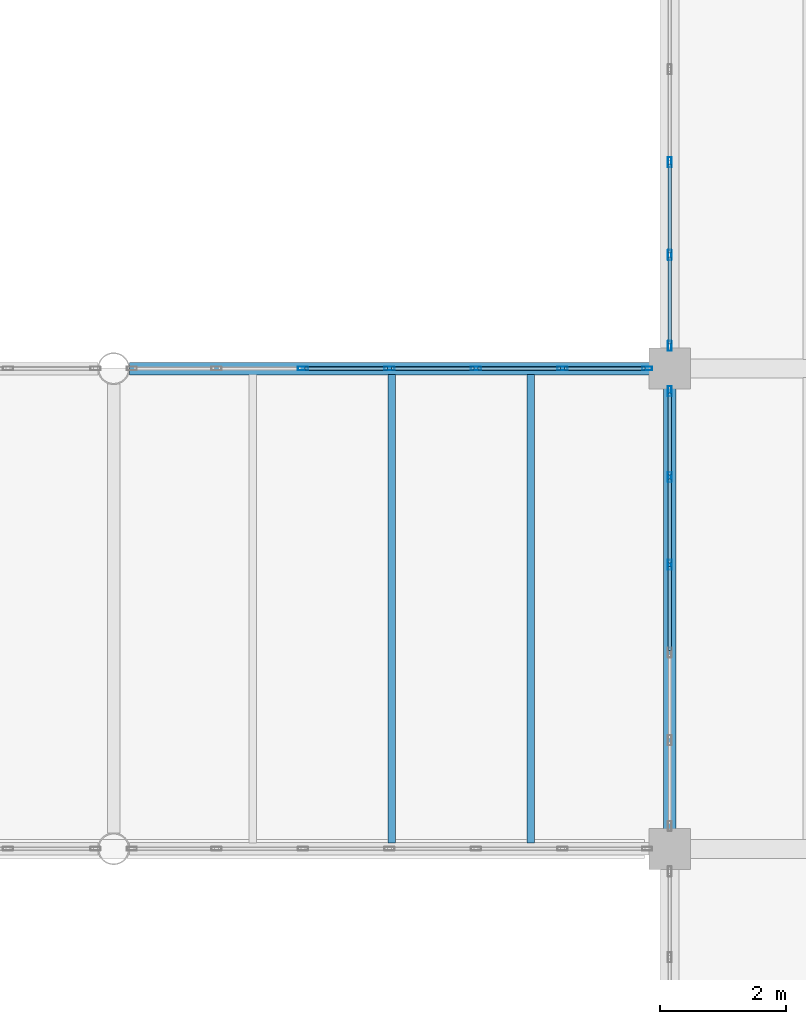
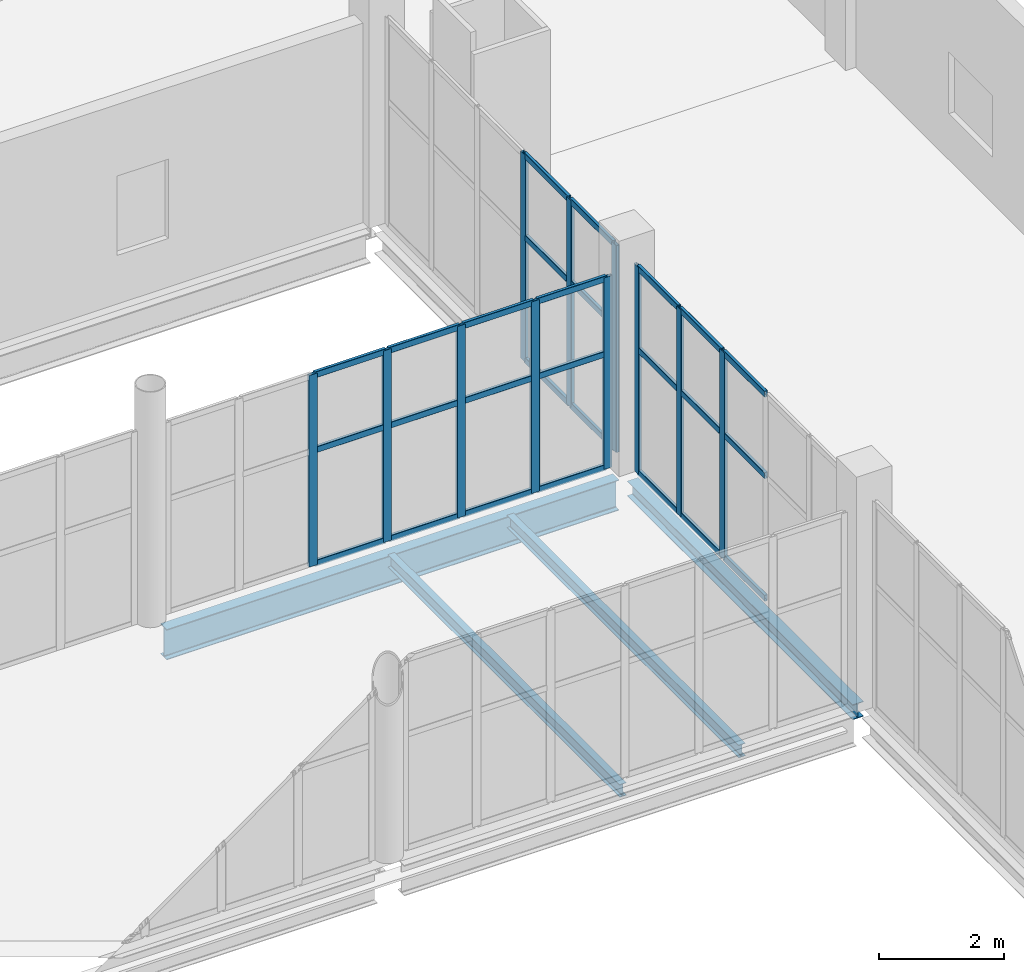
# One storey, part 117 of 172: 38 members, 4 beams, 3 elements without a shape of their own.
"""IFC4 building model written with IfcOpenShell, lengths in metres."""

from ifc_helpers import new_model, si_unit, direction, frame, origin, origin_2d, place, context, subcontext, project, spatial, hollow_rectangle, i_section, extrude, material, material_profile, profile_set, type_object, element, aggregate, save


model = new_model("IFC4")

# Units and contexts
model_context = context("Model", 3, precision=1e-05, world=origin(), true_north=direction((0.0, 1.0)))
body_context = subcontext(model_context, "Body", "Model", "MODEL_VIEW")
ifc_project = project(units=[si_unit("LENGTHUNIT", "METRE"), si_unit("AREAUNIT", "SQUARE_METRE"), si_unit("VOLUMEUNIT", "CUBIC_METRE"), si_unit("PLANEANGLEUNIT", "RADIAN"), si_unit("MASSUNIT", "GRAM", prefix="KILO")], contexts=[model_context])

# Site, building, storey
site_placement = place(None, origin())
site = spatial("IfcSite", under=ifc_project, at=site_placement, CompositionType="ELEMENT")
building_placement = place(site_placement, origin())
building = spatial("IfcBuilding", under=site, at=building_placement, Name="Shengluoqiao Park Theatre", CompositionType="ELEMENT")
storey_placement = place(building_placement, frame((0.0, 0.0, 5.39990234375)))
storey = spatial("IfcBuildingStorey", under=building, at=storey_placement, Name="L01", CompositionType="ELEMENT", Elevation=5.39990234375)

# Curtain wall, members
ifc_material_1 = material(Name="Aluminium 6063-T6", Category="aluminium")
curtain_wall_type_1 = type_object("IfcCurtainWallType", Name="ENV-CW-BRIDGE", PredefinedType="NOTDEFINED", material=ifc_material_1)
curtain_wall_1_placement = place(storey_placement, origin())
curtain_wall_1 = element("IfcCurtainWall", 1, at=curtain_wall_1_placement, inside=storey, type_object=curtain_wall_type_1, Name="L01 Curtain Wall CWX-L01-0106", PredefinedType="NOTDEFINED")
ifc_material_profile_1 = material_profile(ifc_material_1, hollow_rectangle(XDim=0.06005859375, YDim=0.159912109375, WallThickness=0.00390625, InnerFilletRadius=0.00390625, OuterFilletRadius=0.008056640625, at=origin_2d()), Name="ALU MULLION 160x60x4")
ifc_profile_set_1 = profile_set([ifc_material_profile_1], Name="Aluminium 6063-T6")
member_type_1 = type_object("IfcMemberType", Name="ENV-MUL-160", PredefinedType="MULLION", material=ifc_profile_set_1)
member_1_placement = place(storey_placement, frame((151.395751953125, 76.0, 0.0), z_axis=(0.0, 0.0, 1.0), x_axis=(0.0, 1.0, 0.0)))
member_1 = element("IfcMember", 2, at=member_1_placement, type_object=member_type_1, Name="CW-03 mullion 3", PredefinedType="MULLION", context=body_context, shape_type="SweptSolid", body=[
    extrude(hollow_rectangle(XDim=0.06005859375, YDim=0.159912109375, WallThickness=0.00390625, InnerFilletRadius=0.00390625, OuterFilletRadius=0.008056640625, at=origin_2d()), origin(), (0.0, 0.0, 1.0), 3.7421875),
])
member_2_placement = place(storey_placement, frame((152.764404296875, 76.0, 0.0), z_axis=(0.0, 0.0, 1.0), x_axis=(0.0, 1.0, 0.0)))
member_2 = element("IfcMember", 3, at=member_2_placement, type_object=member_type_1, Name="CW-03 mullion 4", PredefinedType="MULLION", context=body_context, shape_type="SweptSolid", body=[
    extrude(hollow_rectangle(XDim=0.06005859375, YDim=0.159912109375, WallThickness=0.00390625, InnerFilletRadius=0.00390625, OuterFilletRadius=0.008056640625, at=origin_2d()), origin(), (0.0, 0.0, 1.0), 3.7421875),
])
member_3_placement = place(storey_placement, frame((154.13330078125, 76.0, 0.0), z_axis=(0.0, 0.0, 1.0), x_axis=(0.0, 1.0, 0.0)))
member_3 = element("IfcMember", 4, at=member_3_placement, type_object=member_type_1, Name="CW-03 mullion 5", PredefinedType="MULLION", context=body_context, shape_type="SweptSolid", body=[
    extrude(hollow_rectangle(XDim=0.06005859375, YDim=0.159912109375, WallThickness=0.00390625, InnerFilletRadius=0.00390625, OuterFilletRadius=0.008056640625, at=origin_2d()), origin(), (0.0, 0.0, 1.0), 3.7421875),
])
member_4_placement = place(storey_placement, frame((155.502197265625, 76.0, 0.0), z_axis=(0.0, 0.0, 1.0), x_axis=(0.0, 1.0, 0.0)))
member_4 = element("IfcMember", 5, at=member_4_placement, type_object=member_type_1, Name="CW-03 mullion 6", PredefinedType="MULLION", context=body_context, shape_type="SweptSolid", body=[
    extrude(hollow_rectangle(XDim=0.06005859375, YDim=0.159912109375, WallThickness=0.00390625, InnerFilletRadius=0.00390625, OuterFilletRadius=0.008056640625, at=origin_2d()), origin(), (0.0, 0.0, 1.0), 3.7421875),
])
member_5_placement = place(storey_placement, frame((156.841064453125, 76.0, 0.0), z_axis=(0.0, 0.0, 1.0), x_axis=(0.0, 1.0, 0.0)))
member_5 = element("IfcMember", 6, at=member_5_placement, type_object=member_type_1, Name="CW-03 mullion 7", PredefinedType="MULLION", context=body_context, shape_type="SweptSolid", body=[
    extrude(hollow_rectangle(XDim=0.06005859375, YDim=0.159912109375, WallThickness=0.00390625, InnerFilletRadius=0.00390625, OuterFilletRadius=0.008056640625, at=origin_2d()), origin(), (0.0, 0.0, 1.0), 3.7421875),
])

curtain_wall_type_2 = type_object("IfcCurtainWallType", Name="ENV-CW-COURT", PredefinedType="NOTDEFINED", material=ifc_material_1)
curtain_wall_2_placement = place(storey_placement, origin())
curtain_wall_2 = element("IfcCurtainWall", 7, at=curtain_wall_2_placement, inside=storey, type_object=curtain_wall_type_2, Name="L01 Curtain Wall CWX-L01-0187", PredefinedType="NOTDEFINED")
member_6_placement = place(storey_placement, frame((157.199951171875, 72.894287109375, 0.0), z_axis=(0.0, 0.0, 1.0), x_axis=(-1.0, 0.0, 0.0)))
member_6 = element("IfcMember", 8, at=member_6_placement, type_object=member_type_1, Name="CW-05 mullion 4", PredefinedType="MULLION", context=body_context, shape_type="SweptSolid", body=[
    extrude(hollow_rectangle(XDim=0.06005859375, YDim=0.159912109375, WallThickness=0.00390625, InnerFilletRadius=0.00390625, OuterFilletRadius=0.008056640625, at=origin_2d()), origin(), (0.0, 0.0, 1.0), 4.044189453125),
])
member_7_placement = place(storey_placement, frame((157.199951171875, 74.28271484375, 0.0), z_axis=(0.0, 0.0, 1.0), x_axis=(-1.0, 0.0, 0.0)))
member_7 = element("IfcMember", 9, at=member_7_placement, type_object=member_type_1, Name="CW-05 mullion 5", PredefinedType="MULLION", context=body_context, shape_type="SweptSolid", body=[
    extrude(hollow_rectangle(XDim=0.06005859375, YDim=0.159912109375, WallThickness=0.00390625, InnerFilletRadius=0.00390625, OuterFilletRadius=0.008056640625, at=origin_2d()), origin(), (0.0, 0.0, 1.0), 4.044189453125),
])
member_8_placement = place(storey_placement, frame((157.199951171875, 75.64111328125, 0.0), z_axis=(0.0, 0.0, 1.0), x_axis=(-1.0, 0.0, 0.0)))
member_8 = element("IfcMember", 10, at=member_8_placement, type_object=member_type_1, Name="CW-05 mullion 6", PredefinedType="MULLION", context=body_context, shape_type="SweptSolid", body=[
    extrude(hollow_rectangle(XDim=0.06005859375, YDim=0.159912109375, WallThickness=0.00390625, InnerFilletRadius=0.00390625, OuterFilletRadius=0.008056640625, at=origin_2d()), origin(), (0.0, 0.0, 1.0), 4.044189453125),
])

curtain_wall_3_placement = place(storey_placement, origin())
curtain_wall_3 = element("IfcCurtainWall", 11, at=curtain_wall_3_placement, inside=storey, type_object=curtain_wall_type_2, Name="L01 Curtain Wall CWX-L01-0188", PredefinedType="NOTDEFINED")
member_9_placement = place(storey_placement, frame((157.199951171875, 76.35888671875, 0.0), z_axis=(0.0, 0.0, 1.0), x_axis=(-1.0, 0.0, 0.0)))
member_9 = element("IfcMember", 12, at=member_9_placement, type_object=member_type_1, Name="CW-05 mullion 1", PredefinedType="MULLION", context=body_context, shape_type="SweptSolid", body=[
    extrude(hollow_rectangle(XDim=0.06005859375, YDim=0.159912109375, WallThickness=0.00390625, InnerFilletRadius=0.00390625, OuterFilletRadius=0.008056640625, at=origin_2d()), origin(), (0.0, 0.0, 1.0), 4.044189453125),
])
member_10_placement = place(storey_placement, frame((157.199951171875, 77.79736328125, 0.0), z_axis=(0.0, 0.0, 1.0), x_axis=(-1.0, 0.0, 0.0)))
member_10 = element("IfcMember", 13, at=member_10_placement, type_object=member_type_1, Name="CW-05 mullion 2", PredefinedType="MULLION", context=body_context, shape_type="SweptSolid", body=[
    extrude(hollow_rectangle(XDim=0.06005859375, YDim=0.159912109375, WallThickness=0.00390625, InnerFilletRadius=0.00390625, OuterFilletRadius=0.008056640625, at=origin_2d()), origin(), (0.0, 0.0, 1.0), 4.044189453125),
])
member_11_placement = place(storey_placement, frame((157.199951171875, 79.265869140625, 0.0), z_axis=(0.0, 0.0, 1.0), x_axis=(-1.0, 0.0, 0.0)))
member_11 = element("IfcMember", 14, at=member_11_placement, type_object=member_type_1, Name="CW-05 mullion 3", PredefinedType="MULLION", context=body_context, shape_type="SweptSolid", body=[
    extrude(hollow_rectangle(XDim=0.06005859375, YDim=0.159912109375, WallThickness=0.00390625, InnerFilletRadius=0.00390625, OuterFilletRadius=0.008056640625, at=origin_2d()), origin(), (0.0, 0.0, 1.0), 4.044189453125),
])

# Member
ifc_material_profile_2 = material_profile(ifc_material_1, hollow_rectangle(XDim=0.06005859375, YDim=0.1201171875, WallThickness=0.00390625, InnerFilletRadius=0.00390625, OuterFilletRadius=0.008056640625, at=origin_2d()), Name="ALU TRANSOM 120x60x4")
ifc_profile_set_2 = profile_set([ifc_material_profile_2], Name="Aluminium 6063-T6")
member_type_2 = type_object("IfcMemberType", Name="ENV-TRN-120", PredefinedType="USERDEFINED", material=ifc_profile_set_2)
member_12_placement = place(storey_placement, frame((151.42578125, 76.0, 0.030029296875), z_axis=(1.0, 0.0, 0.0), x_axis=(0.0, 1.0, 0.0)))
member_12 = element("IfcMember", 15, at=member_12_placement, type_object=member_type_2, Name="CW-03 transom 3.1", ObjectType="TRANSOM", PredefinedType="USERDEFINED", context=body_context, shape_type="SweptSolid", body=[
    extrude(hollow_rectangle(XDim=0.06005859375, YDim=0.1201171875, WallThickness=0.00390625, InnerFilletRadius=0.00390625, OuterFilletRadius=0.008056640625, at=origin_2d()), origin(), (0.0, 0.0, 1.0), 1.308837890625),
])

member_13_placement = place(storey_placement, frame((151.42578125, 76.0, 2.2451171875), z_axis=(1.0, 0.0, 0.0), x_axis=(0.0, 1.0, 0.0)))
member_13 = element("IfcMember", 16, at=member_13_placement, type_object=member_type_2, Name="CW-03 transom 3.2", ObjectType="TRANSOM", PredefinedType="USERDEFINED", context=body_context, shape_type="SweptSolid", body=[
    extrude(hollow_rectangle(XDim=0.06005859375, YDim=0.1201171875, WallThickness=0.00390625, InnerFilletRadius=0.00390625, OuterFilletRadius=0.008056640625, at=origin_2d()), origin(), (0.0, 0.0, 1.0), 1.308837890625),
])

member_14_placement = place(storey_placement, frame((151.42578125, 76.0, 3.712158203125), z_axis=(1.0, 0.0, 0.0), x_axis=(0.0, 1.0, 0.0)))
member_14 = element("IfcMember", 17, at=member_14_placement, type_object=member_type_2, Name="CW-03 transom 3.3", ObjectType="TRANSOM", PredefinedType="USERDEFINED", context=body_context, shape_type="SweptSolid", body=[
    extrude(hollow_rectangle(XDim=0.06005859375, YDim=0.1201171875, WallThickness=0.00390625, InnerFilletRadius=0.00390625, OuterFilletRadius=0.008056640625, at=origin_2d()), origin(), (0.0, 0.0, 1.0), 1.308837890625),
])

member_15_placement = place(storey_placement, frame((152.79443359375, 76.0, 0.030029296875), z_axis=(1.0, 0.0, 0.0), x_axis=(0.0, 1.0, 0.0)))
member_15 = element("IfcMember", 18, at=member_15_placement, type_object=member_type_2, Name="CW-03 transom 4.1", ObjectType="TRANSOM", PredefinedType="USERDEFINED", context=body_context, shape_type="SweptSolid", body=[
    extrude(hollow_rectangle(XDim=0.06005859375, YDim=0.1201171875, WallThickness=0.00390625, InnerFilletRadius=0.00390625, OuterFilletRadius=0.008056640625, at=origin_2d()), origin(), (0.0, 0.0, 1.0), 1.308837890625),
])

member_16_placement = place(storey_placement, frame((152.79443359375, 76.0, 2.2451171875), z_axis=(1.0, 0.0, 0.0), x_axis=(0.0, 1.0, 0.0)))
member_16 = element("IfcMember", 19, at=member_16_placement, type_object=member_type_2, Name="CW-03 transom 4.2", ObjectType="TRANSOM", PredefinedType="USERDEFINED", context=body_context, shape_type="SweptSolid", body=[
    extrude(hollow_rectangle(XDim=0.06005859375, YDim=0.1201171875, WallThickness=0.00390625, InnerFilletRadius=0.00390625, OuterFilletRadius=0.008056640625, at=origin_2d()), origin(), (0.0, 0.0, 1.0), 1.308837890625),
])

member_17_placement = place(storey_placement, frame((152.79443359375, 76.0, 3.712158203125), z_axis=(1.0, 0.0, 0.0), x_axis=(0.0, 1.0, 0.0)))
member_17 = element("IfcMember", 20, at=member_17_placement, type_object=member_type_2, Name="CW-03 transom 4.3", ObjectType="TRANSOM", PredefinedType="USERDEFINED", context=body_context, shape_type="SweptSolid", body=[
    extrude(hollow_rectangle(XDim=0.06005859375, YDim=0.1201171875, WallThickness=0.00390625, InnerFilletRadius=0.00390625, OuterFilletRadius=0.008056640625, at=origin_2d()), origin(), (0.0, 0.0, 1.0), 1.308837890625),
])

member_18_placement = place(storey_placement, frame((154.163330078125, 76.0, 0.030029296875), z_axis=(1.0, 0.0, 0.0), x_axis=(0.0, 1.0, 0.0)))
member_18 = element("IfcMember", 21, at=member_18_placement, type_object=member_type_2, Name="CW-03 transom 5.1", ObjectType="TRANSOM", PredefinedType="USERDEFINED", context=body_context, shape_type="SweptSolid", body=[
    extrude(hollow_rectangle(XDim=0.06005859375, YDim=0.1201171875, WallThickness=0.00390625, InnerFilletRadius=0.00390625, OuterFilletRadius=0.008056640625, at=origin_2d()), origin(), (0.0, 0.0, 1.0), 1.308837890625),
])

member_19_placement = place(storey_placement, frame((154.163330078125, 76.0, 2.2451171875), z_axis=(1.0, 0.0, 0.0), x_axis=(0.0, 1.0, 0.0)))
member_19 = element("IfcMember", 22, at=member_19_placement, type_object=member_type_2, Name="CW-03 transom 5.2", ObjectType="TRANSOM", PredefinedType="USERDEFINED", context=body_context, shape_type="SweptSolid", body=[
    extrude(hollow_rectangle(XDim=0.06005859375, YDim=0.1201171875, WallThickness=0.00390625, InnerFilletRadius=0.00390625, OuterFilletRadius=0.008056640625, at=origin_2d()), origin(), (0.0, 0.0, 1.0), 1.308837890625),
])

member_20_placement = place(storey_placement, frame((154.163330078125, 76.0, 3.712158203125), z_axis=(1.0, 0.0, 0.0), x_axis=(0.0, 1.0, 0.0)))
member_20 = element("IfcMember", 23, at=member_20_placement, type_object=member_type_2, Name="CW-03 transom 5.3", ObjectType="TRANSOM", PredefinedType="USERDEFINED", context=body_context, shape_type="SweptSolid", body=[
    extrude(hollow_rectangle(XDim=0.06005859375, YDim=0.1201171875, WallThickness=0.00390625, InnerFilletRadius=0.00390625, OuterFilletRadius=0.008056640625, at=origin_2d()), origin(), (0.0, 0.0, 1.0), 1.308837890625),
])

member_21_placement = place(storey_placement, frame((155.5322265625, 76.0, 0.030029296875), z_axis=(1.0, 0.0, 0.0), x_axis=(0.0, 1.0, 0.0)))
member_21 = element("IfcMember", 24, at=member_21_placement, type_object=member_type_2, Name="CW-03 transom 6.1", ObjectType="TRANSOM", PredefinedType="USERDEFINED", context=body_context, shape_type="SweptSolid", body=[
    extrude(hollow_rectangle(XDim=0.06005859375, YDim=0.1201171875, WallThickness=0.00390625, InnerFilletRadius=0.00390625, OuterFilletRadius=0.008056640625, at=origin_2d()), origin(), (0.0, 0.0, 1.0), 1.27880859375),
])

member_22_placement = place(storey_placement, frame((155.5322265625, 76.0, 2.2451171875), z_axis=(1.0, 0.0, 0.0), x_axis=(0.0, 1.0, 0.0)))
member_22 = element("IfcMember", 25, at=member_22_placement, type_object=member_type_2, Name="CW-03 transom 6.2", ObjectType="TRANSOM", PredefinedType="USERDEFINED", context=body_context, shape_type="SweptSolid", body=[
    extrude(hollow_rectangle(XDim=0.06005859375, YDim=0.1201171875, WallThickness=0.00390625, InnerFilletRadius=0.00390625, OuterFilletRadius=0.008056640625, at=origin_2d()), origin(), (0.0, 0.0, 1.0), 1.27880859375),
])

member_23_placement = place(storey_placement, frame((155.5322265625, 76.0, 3.712158203125), z_axis=(1.0, 0.0, 0.0), x_axis=(0.0, 1.0, 0.0)))
member_23 = element("IfcMember", 26, at=member_23_placement, type_object=member_type_2, Name="CW-03 transom 6.3", ObjectType="TRANSOM", PredefinedType="USERDEFINED", context=body_context, shape_type="SweptSolid", body=[
    extrude(hollow_rectangle(XDim=0.06005859375, YDim=0.1201171875, WallThickness=0.00390625, InnerFilletRadius=0.00390625, OuterFilletRadius=0.008056640625, at=origin_2d()), origin(), (0.0, 0.0, 1.0), 1.27880859375),
])

aggregate(curtain_wall_1, [member_1, member_2, member_3, member_4, member_5, member_12, member_13, member_14, member_15, member_16, member_17, member_18, member_19, member_20, member_21, member_22, member_23])

member_24_placement = place(storey_placement, frame((157.199951171875, 71.535888671875, 0.030029296875), z_axis=(0.0, 1.0, 0.0), x_axis=(-1.0, 0.0, 0.0)))
member_24 = element("IfcMember", 27, at=member_24_placement, type_object=member_type_2, Name="CW-05 transom 3.1", ObjectType="TRANSOM", PredefinedType="USERDEFINED", context=body_context, shape_type="SweptSolid", body=[
    extrude(hollow_rectangle(XDim=0.06005859375, YDim=0.1201171875, WallThickness=0.00390625, InnerFilletRadius=0.00390625, OuterFilletRadius=0.008056640625, at=origin_2d()), origin(), (0.0, 0.0, 1.0), 1.328369140625),
])

member_25_placement = place(storey_placement, frame((157.199951171875, 71.535888671875, 2.426025390625), z_axis=(0.0, 1.0, 0.0), x_axis=(-1.0, 0.0, 0.0)))
member_25 = element("IfcMember", 28, at=member_25_placement, type_object=member_type_2, Name="CW-05 transom 3.2", ObjectType="TRANSOM", PredefinedType="USERDEFINED", context=body_context, shape_type="SweptSolid", body=[
    extrude(hollow_rectangle(XDim=0.06005859375, YDim=0.1201171875, WallThickness=0.00390625, InnerFilletRadius=0.00390625, OuterFilletRadius=0.008056640625, at=origin_2d()), origin(), (0.0, 0.0, 1.0), 1.328369140625),
])

member_26_placement = place(storey_placement, frame((157.199951171875, 71.535888671875, 4.01416015625), z_axis=(0.0, 1.0, 0.0), x_axis=(-1.0, 0.0, 0.0)))
member_26 = element("IfcMember", 29, at=member_26_placement, type_object=member_type_2, Name="CW-05 transom 3.3", ObjectType="TRANSOM", PredefinedType="USERDEFINED", context=body_context, shape_type="SweptSolid", body=[
    extrude(hollow_rectangle(XDim=0.06005859375, YDim=0.1201171875, WallThickness=0.00390625, InnerFilletRadius=0.00390625, OuterFilletRadius=0.008056640625, at=origin_2d()), origin(), (0.0, 0.0, 1.0), 1.328369140625),
])

member_27_placement = place(storey_placement, frame((157.199951171875, 72.92431640625, 0.030029296875), z_axis=(0.0, 1.0, 0.0), x_axis=(-1.0, 0.0, 0.0)))
member_27 = element("IfcMember", 30, at=member_27_placement, type_object=member_type_2, Name="CW-05 transom 4.1", ObjectType="TRANSOM", PredefinedType="USERDEFINED", context=body_context, shape_type="SweptSolid", body=[
    extrude(hollow_rectangle(XDim=0.06005859375, YDim=0.1201171875, WallThickness=0.00390625, InnerFilletRadius=0.00390625, OuterFilletRadius=0.008056640625, at=origin_2d()), origin(), (0.0, 0.0, 1.0), 1.328369140625),
])

member_28_placement = place(storey_placement, frame((157.199951171875, 72.92431640625, 2.426025390625), z_axis=(0.0, 1.0, 0.0), x_axis=(-1.0, 0.0, 0.0)))
member_28 = element("IfcMember", 31, at=member_28_placement, type_object=member_type_2, Name="CW-05 transom 4.2", ObjectType="TRANSOM", PredefinedType="USERDEFINED", context=body_context, shape_type="SweptSolid", body=[
    extrude(hollow_rectangle(XDim=0.06005859375, YDim=0.1201171875, WallThickness=0.00390625, InnerFilletRadius=0.00390625, OuterFilletRadius=0.008056640625, at=origin_2d()), origin(), (0.0, 0.0, 1.0), 1.328369140625),
])

member_29_placement = place(storey_placement, frame((157.199951171875, 72.92431640625, 4.01416015625), z_axis=(0.0, 1.0, 0.0), x_axis=(-1.0, 0.0, 0.0)))
member_29 = element("IfcMember", 32, at=member_29_placement, type_object=member_type_2, Name="CW-05 transom 4.3", ObjectType="TRANSOM", PredefinedType="USERDEFINED", context=body_context, shape_type="SweptSolid", body=[
    extrude(hollow_rectangle(XDim=0.06005859375, YDim=0.1201171875, WallThickness=0.00390625, InnerFilletRadius=0.00390625, OuterFilletRadius=0.008056640625, at=origin_2d()), origin(), (0.0, 0.0, 1.0), 1.328369140625),
])

member_30_placement = place(storey_placement, frame((157.199951171875, 74.3125, 0.030029296875), z_axis=(0.0, 1.0, 0.0), x_axis=(-1.0, 0.0, 0.0)))
member_30 = element("IfcMember", 33, at=member_30_placement, type_object=member_type_2, Name="CW-05 transom 5.1", ObjectType="TRANSOM", PredefinedType="USERDEFINED", context=body_context, shape_type="SweptSolid", body=[
    extrude(hollow_rectangle(XDim=0.06005859375, YDim=0.1201171875, WallThickness=0.00390625, InnerFilletRadius=0.00390625, OuterFilletRadius=0.008056640625, at=origin_2d()), origin(), (0.0, 0.0, 1.0), 1.298583984375),
])

member_31_placement = place(storey_placement, frame((157.199951171875, 74.3125, 2.426025390625), z_axis=(0.0, 1.0, 0.0), x_axis=(-1.0, 0.0, 0.0)))
member_31 = element("IfcMember", 34, at=member_31_placement, type_object=member_type_2, Name="CW-05 transom 5.2", ObjectType="TRANSOM", PredefinedType="USERDEFINED", context=body_context, shape_type="SweptSolid", body=[
    extrude(hollow_rectangle(XDim=0.06005859375, YDim=0.1201171875, WallThickness=0.00390625, InnerFilletRadius=0.00390625, OuterFilletRadius=0.008056640625, at=origin_2d()), origin(), (0.0, 0.0, 1.0), 1.298583984375),
])

member_32_placement = place(storey_placement, frame((157.199951171875, 74.3125, 4.01416015625), z_axis=(0.0, 1.0, 0.0), x_axis=(-1.0, 0.0, 0.0)))
member_32 = element("IfcMember", 35, at=member_32_placement, type_object=member_type_2, Name="CW-05 transom 5.3", ObjectType="TRANSOM", PredefinedType="USERDEFINED", context=body_context, shape_type="SweptSolid", body=[
    extrude(hollow_rectangle(XDim=0.06005859375, YDim=0.1201171875, WallThickness=0.00390625, InnerFilletRadius=0.00390625, OuterFilletRadius=0.008056640625, at=origin_2d()), origin(), (0.0, 0.0, 1.0), 1.298583984375),
])

aggregate(curtain_wall_2, [member_6, member_7, member_8, member_24, member_25, member_26, member_27, member_28, member_29, member_30, member_31, member_32])

member_33_placement = place(storey_placement, frame((157.199951171875, 76.388916015625, 0.030029296875), z_axis=(0.0, 1.0, 0.0), x_axis=(-1.0, 0.0, 0.0)))
member_33 = element("IfcMember", 36, at=member_33_placement, type_object=member_type_2, Name="CW-05 transom 1.1", ObjectType="TRANSOM", PredefinedType="USERDEFINED", context=body_context, shape_type="SweptSolid", body=[
    extrude(hollow_rectangle(XDim=0.06005859375, YDim=0.1201171875, WallThickness=0.00390625, InnerFilletRadius=0.00390625, OuterFilletRadius=0.008056640625, at=origin_2d()), origin(), (0.0, 0.0, 1.0), 1.37841796875),
])

member_34_placement = place(storey_placement, frame((157.199951171875, 76.388916015625, 2.426025390625), z_axis=(0.0, 1.0, 0.0), x_axis=(-1.0, 0.0, 0.0)))
member_34 = element("IfcMember", 37, at=member_34_placement, type_object=member_type_2, Name="CW-05 transom 1.2", ObjectType="TRANSOM", PredefinedType="USERDEFINED", context=body_context, shape_type="SweptSolid", body=[
    extrude(hollow_rectangle(XDim=0.06005859375, YDim=0.1201171875, WallThickness=0.00390625, InnerFilletRadius=0.00390625, OuterFilletRadius=0.008056640625, at=origin_2d()), origin(), (0.0, 0.0, 1.0), 1.37841796875),
])

member_35_placement = place(storey_placement, frame((157.199951171875, 76.388916015625, 4.01416015625), z_axis=(0.0, 1.0, 0.0), x_axis=(-1.0, 0.0, 0.0)))
member_35 = element("IfcMember", 38, at=member_35_placement, type_object=member_type_2, Name="CW-05 transom 1.3", ObjectType="TRANSOM", PredefinedType="USERDEFINED", context=body_context, shape_type="SweptSolid", body=[
    extrude(hollow_rectangle(XDim=0.06005859375, YDim=0.1201171875, WallThickness=0.00390625, InnerFilletRadius=0.00390625, OuterFilletRadius=0.008056640625, at=origin_2d()), origin(), (0.0, 0.0, 1.0), 1.37841796875),
])

member_36_placement = place(storey_placement, frame((157.199951171875, 77.827392578125, 0.030029296875), z_axis=(0.0, 1.0, 0.0), x_axis=(-1.0, 0.0, 0.0)))
member_36 = element("IfcMember", 39, at=member_36_placement, type_object=member_type_2, Name="CW-05 transom 2.1", ObjectType="TRANSOM", PredefinedType="USERDEFINED", context=body_context, shape_type="SweptSolid", body=[
    extrude(hollow_rectangle(XDim=0.06005859375, YDim=0.1201171875, WallThickness=0.00390625, InnerFilletRadius=0.00390625, OuterFilletRadius=0.008056640625, at=origin_2d()), origin(), (0.0, 0.0, 1.0), 1.408447265625),
])

member_37_placement = place(storey_placement, frame((157.199951171875, 77.827392578125, 2.426025390625), z_axis=(0.0, 1.0, 0.0), x_axis=(-1.0, 0.0, 0.0)))
member_37 = element("IfcMember", 40, at=member_37_placement, type_object=member_type_2, Name="CW-05 transom 2.2", ObjectType="TRANSOM", PredefinedType="USERDEFINED", context=body_context, shape_type="SweptSolid", body=[
    extrude(hollow_rectangle(XDim=0.06005859375, YDim=0.1201171875, WallThickness=0.00390625, InnerFilletRadius=0.00390625, OuterFilletRadius=0.008056640625, at=origin_2d()), origin(), (0.0, 0.0, 1.0), 1.408447265625),
])

member_38_placement = place(storey_placement, frame((157.199951171875, 77.827392578125, 4.01416015625), z_axis=(0.0, 1.0, 0.0), x_axis=(-1.0, 0.0, 0.0)))
member_38 = element("IfcMember", 41, at=member_38_placement, type_object=member_type_2, Name="CW-05 transom 2.3", ObjectType="TRANSOM", PredefinedType="USERDEFINED", context=body_context, shape_type="SweptSolid", body=[
    extrude(hollow_rectangle(XDim=0.06005859375, YDim=0.1201171875, WallThickness=0.00390625, InnerFilletRadius=0.00390625, OuterFilletRadius=0.008056640625, at=origin_2d()), origin(), (0.0, 0.0, 1.0), 1.408447265625),
])

aggregate(curtain_wall_3, [member_9, member_10, member_11, member_33, member_34, member_35, member_36, member_37, member_38])

# Beams
ifc_material_2 = material(Name="Steel Q355", Category="steel")
ifc_material_profile_3 = material_profile(ifc_material_2, i_section(OverallWidth=0.199951171875, OverallDepth=0.2939453125, WebThickness=0.008056640625, FlangeThickness=0.011962890625, FilletRadius=0.01611328125, at=origin_2d()), Name="HM 294x200x8x12")
ifc_profile_set_3 = profile_set([ifc_material_profile_3], Name="Steel Q355")
beam_type_1 = type_object("IfcBeamType", Name="STR-BM-G-HM294", PredefinedType="BEAM", material=ifc_profile_set_3)
beam_1_placement = place(storey_placement, frame((157.199951171875, 68.593994140625, -0.386962890625), z_axis=(0.0, 1.0, 0.0), x_axis=(-1.0, 0.0, 0.0)))
element("IfcBeam", 42, at=beam_1_placement, inside=storey, type_object=beam_type_1, Name="L01 Transverse Girder 00536", PredefinedType="BEAM", context=body_context, shape_type="SweptSolid", body=[
    extrude(i_section(OverallWidth=0.199951171875, OverallDepth=0.2939453125, WebThickness=0.008056640625, FlangeThickness=0.011962890625, FilletRadius=0.01611328125, at=origin_2d()), origin(), (0.0, 0.0, 1.0), 7.2119140625),
])
ifc_material_profile_4 = material_profile(ifc_material_2, i_section(OverallWidth=0.125, OverallDepth=0.25, WebThickness=0.006103515625, FlangeThickness=0.009033203125, FilletRadius=0.010009765625, at=origin_2d()), Name="HN 250x125x6x9")
ifc_profile_set_4 = profile_set([ifc_material_profile_4], Name="Steel Q355")
beam_type_2 = type_object("IfcBeamType", Name="STR-BM-J-HN250", PredefinedType="JOIST", material=ifc_profile_set_4)
for number, where, z_axis, x_axis, name in (
    (43, (152.800048828125, 68.494384765625, -0.3349609375), (0.0, 1.0, 0.0), (-1.0, 0.0, 0.0), "L01 Composite Joist 00559"),
    (44, (155.0, 68.494384765625, -0.3349609375), (0.0, 1.0, 0.0), (-1.0, 0.0, 0.0), "L01 Composite Joist 00560"),
):
    element("IfcBeam", number, at=place(storey_placement, frame(where, z_axis=z_axis, x_axis=x_axis)), inside=storey, type_object=beam_type_2, Name=name, PredefinedType="JOIST", context=body_context, shape_type="SweptSolid", body=[
        extrude(i_section(OverallWidth=0.125, OverallDepth=0.25, WebThickness=0.006103515625, FlangeThickness=0.009033203125, FilletRadius=0.010009765625, at=origin_2d()), origin(), (0.0, 0.0, 1.0), 7.4111328125),
    ])
ifc_material_profile_5 = material_profile(ifc_material_2, i_section(OverallWidth=0.198974609375, OverallDepth=0.595947265625, WebThickness=0.010009765625, FlangeThickness=0.014892578125, FilletRadius=0.02001953125, at=origin_2d()), Name="HN 596x199x10x15")
ifc_profile_set_5 = profile_set([ifc_material_profile_5], Name="Steel Q355")
beam_type_3 = type_object("IfcBeamType", Name="STR-BM-SP-HN596", PredefinedType="SPANDREL", material=ifc_profile_set_5)
beam_2_placement = place(storey_placement, frame((148.64794921875, 76.0, -0.537841796875), z_axis=(1.0, 0.0, 0.0), x_axis=(0.0, 1.0, 0.0)))
element("IfcBeam", 45, at=beam_2_placement, inside=storey, type_object=beam_type_3, Name="L01 Primary Girder 00528", PredefinedType="SPANDREL", context=body_context, shape_type="SweptSolid", body=[
    extrude(i_section(OverallWidth=0.198974609375, OverallDepth=0.595947265625, WebThickness=0.010009765625, FlangeThickness=0.014892578125, FilletRadius=0.02001953125, at=origin_2d()), origin(), (0.0, 0.0, 1.0), 8.35400390625),
])

save(model, "model.ifc")
